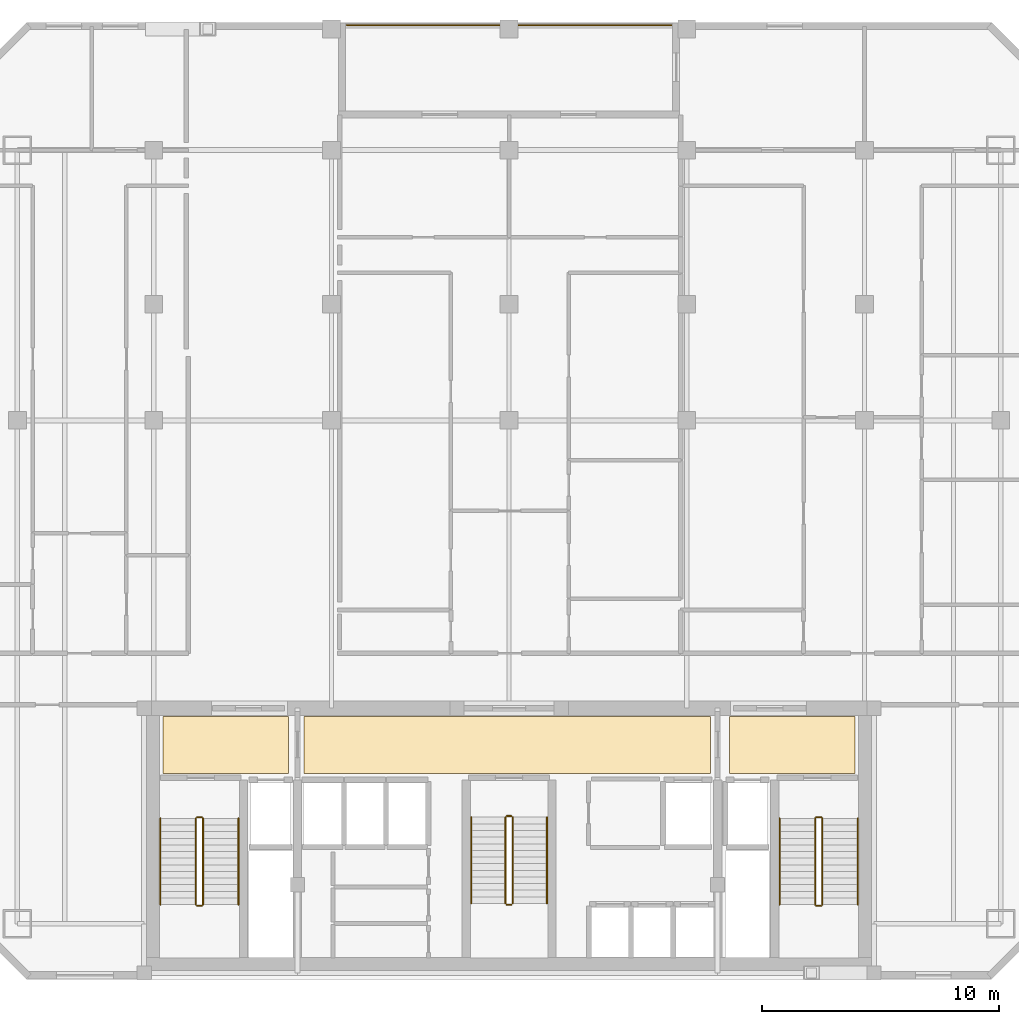
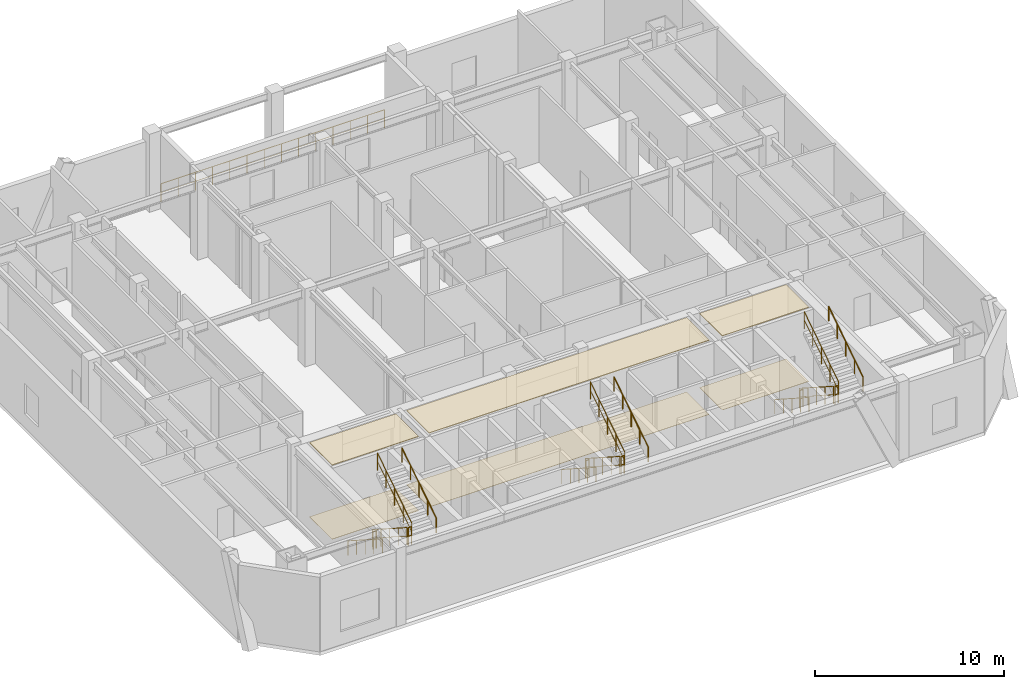
# One storey, part 8 of 8: 19 railings, 6 coverings.
"""IFC4 building model written with IfcOpenShell, lengths in metres."""

from ifc_helpers import new_model, si_unit, direction, frame, origin, origin_2d, place, context, subcontext, project, spatial, polyline, circle, outline, extrude, material, layer, layer_set, type_object, element, save


model = new_model("IFC4")

# Units and contexts
model_context = context("Model", 3, precision=1e-05, world=origin(), true_north=direction((0.0, 1.0)))
body_context = subcontext(model_context, "Body", "Model", "MODEL_VIEW")
ifc_project = project(units=[si_unit("LENGTHUNIT", "METRE"), si_unit("AREAUNIT", "SQUARE_METRE"), si_unit("VOLUMEUNIT", "CUBIC_METRE"), si_unit("PLANEANGLEUNIT", "RADIAN"), si_unit("MASSUNIT", "GRAM", prefix="KILO")], contexts=[model_context])

# Site, building, storey
site_placement = place(None, origin())
site = spatial("IfcSite", under=ifc_project, at=site_placement, CompositionType="ELEMENT")
building_placement = place(site_placement, origin())
building = spatial("IfcBuilding", under=site, at=building_placement, Name="Ventersveld Concourse Tower", CompositionType="ELEMENT")
storey_placement = place(building_placement, frame((0.0, 0.0, 187.550048828125)))
storey = spatial("IfcBuildingStorey", under=building, at=storey_placement, Name="L46", CompositionType="ELEMENT", Elevation=187.550048828125)

# Coverings
ifc_material_1 = material(Name="Mineral-fibre acoustic ceiling tile", Category="gypsum")
ifc_layer_1 = layer(ifc_material_1, 0.0400390625)
ifc_layer_set_1 = layer_set([ifc_layer_1], Name="Mineral-fibre acoustic ceiling tile")
covering_type_1 = type_object("IfcCoveringType", Name="COV-CEIL-ACOUSTIC", PredefinedType="CEILING", material=ifc_layer_set_1)
covering_1_placement = place(storey_placement, frame((0.0, 0.0, 4.7900390625)))
element("IfcCovering", 1, at=covering_1_placement, inside=storey, type_object=covering_type_1, Name="L46 North Lift Lobby Acoustic Ceiling", PredefinedType="CEILING", context=body_context, shape_type="SweptSolid", body=[
    extrude(outline(polyline([(20.10009765625, 8.699951171875), (37.25, 8.699951171875), (37.25, 11.10009765625), (20.10009765625, 11.10009765625), (20.10009765625, 8.699951171875)])), origin(), (0.0, 0.0, 1.0), 0.039794921875),
])
covering_2_placement = place(storey_placement, frame((0.0, 0.0, 4.7900390625)))
element("IfcCovering", 2, at=covering_2_placement, inside=storey, type_object=covering_type_1, Name="L46 West Firefighting Lobby Acoustic Ceiling", PredefinedType="CEILING", context=body_context, shape_type="SweptSolid", body=[
    extrude(outline(polyline([(14.14990234375, 8.699951171875), (19.449951171875, 8.699951171875), (19.449951171875, 11.10009765625), (14.14990234375, 11.10009765625), (14.14990234375, 8.699951171875)])), origin(), (0.0, 0.0, 1.0), 0.039794921875),
])
covering_3_placement = place(storey_placement, frame((0.0, 0.0, 4.7900390625)))
element("IfcCovering", 3, at=covering_3_placement, inside=storey, type_object=covering_type_1, Name="L46 East Firefighting Lobby Acoustic Ceiling", PredefinedType="CEILING", context=body_context, shape_type="SweptSolid", body=[
    extrude(outline(polyline([(38.050048828125, 8.699951171875), (43.35009765625, 8.699951171875), (43.35009765625, 11.10009765625), (38.050048828125, 11.10009765625), (38.050048828125, 8.699951171875)])), origin(), (0.0, 0.0, 1.0), 0.039794921875),
])
ifc_material_2 = material(Name="Polished Highveld granite terrazzo", Category="masonry")
ifc_layer_2 = layer(ifc_material_2, 0.02001953125)
ifc_layer_set_2 = layer_set([ifc_layer_2], Name="Polished Highveld granite terrazzo")
covering_type_2 = type_object("IfcCoveringType", Name="COV-FLOOR-TERRAZZO", PredefinedType="FLOORING", material=ifc_layer_set_2)
covering_4_placement = place(storey_placement, origin())
element("IfcCovering", 4, at=covering_4_placement, inside=storey, type_object=covering_type_2, Name="L46 North Lift Lobby Terrazzo Flooring", PredefinedType="FLOORING", context=body_context, shape_type="SweptSolid", body=[
    extrude(outline(polyline([(20.10009765625, 8.699951171875), (37.25, 8.699951171875), (37.25, 11.10009765625), (20.10009765625, 11.10009765625), (20.10009765625, 8.699951171875)])), origin(), (0.0, 0.0, 1.0), 0.02001953125),
])
covering_5_placement = place(storey_placement, origin())
element("IfcCovering", 5, at=covering_5_placement, inside=storey, type_object=covering_type_2, Name="L46 West Firefighting Lobby Terrazzo Flooring", PredefinedType="FLOORING", context=body_context, shape_type="SweptSolid", body=[
    extrude(outline(polyline([(14.14990234375, 8.699951171875), (19.449951171875, 8.699951171875), (19.449951171875, 11.10009765625), (14.14990234375, 11.10009765625), (14.14990234375, 8.699951171875)])), origin(), (0.0, 0.0, 1.0), 0.02001953125),
])
covering_6_placement = place(storey_placement, origin())
element("IfcCovering", 6, at=covering_6_placement, inside=storey, type_object=covering_type_2, Name="L46 East Firefighting Lobby Terrazzo Flooring", PredefinedType="FLOORING", context=body_context, shape_type="SweptSolid", body=[
    extrude(outline(polyline([(38.050048828125, 8.699951171875), (43.35009765625, 8.699951171875), (43.35009765625, 11.10009765625), (38.050048828125, 11.10009765625), (38.050048828125, 8.699951171875)])), origin(), (0.0, 0.0, 1.0), 0.02001953125),
])

# Railings
ifc_material_3 = material(Name="Brushed stainless steel 316", Category="steel")
railing_type_1 = type_object("IfcRailingType", Name="GD-BAL-115", PredefinedType="GUARDRAIL", material=ifc_material_3)
railing_1_placement = place(storey_placement, frame((15.530029296875, 6.800048828125, 0.180419921875)))
element("IfcRailing", 7, at=railing_1_placement, inside=storey, type_object=railing_type_1, Name="L46 ST-01 stair guard 1", PredefinedType="GUARDRAIL", context=body_context, shape_type="SweptSolid", body=[
    extrude(circle(Radius=0.02392578125, at=origin_2d()), frame((0.0, 0.0, 1.1259765625), z_axis=(0.0, -0.840716495035, 0.541475553442), x_axis=(1.0, 0.0, 0.0)), (0.0, 0.0, 1.0), 4.329833984375),
    extrude(circle(Radius=0.01611328125, at=origin_2d()), frame((0.0, 0.0, 0.574951171875), z_axis=(0.0, -0.840716495035, 0.541475553442), x_axis=(1.0, 0.0, 0.0)), (0.0, 0.0, 1.0), 4.329833984375),
    extrude(circle(Radius=0.02099609375, at=origin_2d()), origin(), (0.0, 0.0, 1.0), 1.101806640625),
    extrude(circle(Radius=0.02099609375, at=origin_2d()), frame((0.0, -0.91015625, 0.586181640625)), (0.0, 0.0, 1.0), 1.101806640625),
    extrude(circle(Radius=0.02099609375, at=origin_2d()), frame((0.0, -1.820068359375, 1.17236328125)), (0.0, 0.0, 1.0), 1.101806640625),
    extrude(circle(Radius=0.02099609375, at=origin_2d()), frame((0.0, -2.72998046875, 1.75830078125)), (0.0, 0.0, 1.0), 1.101806640625),
    extrude(circle(Radius=0.02099609375, at=origin_2d()), frame((0.0, -3.64013671875, 2.344482421875)), (0.0, 0.0, 1.0), 1.101806640625),
])
railing_2_placement = place(storey_placement, frame((15.580078125, 3.110107421875, 2.52490234375)))
element("IfcRailing", 8, at=railing_2_placement, inside=storey, type_object=railing_type_1, Name="L46 ST-01 stair guard 2", PredefinedType="GUARDRAIL", context=body_context, shape_type="SweptSolid", body=[
    extrude(circle(Radius=0.02392578125, at=origin_2d()), frame((0.0, 0.0, 1.1259765625), z_axis=(1.0, 0.0, 0.0), x_axis=(0.0, 1.0, 0.0)), (0.0, 0.0, 1.0), 0.199951171875),
    extrude(circle(Radius=0.01611328125, at=origin_2d()), frame((0.0, 0.0, 0.574951171875), z_axis=(1.0, 0.0, 0.0), x_axis=(0.0, 1.0, 0.0)), (0.0, 0.0, 1.0), 0.199951171875),
    extrude(circle(Radius=0.02099609375, at=origin_2d()), origin(), (0.0, 0.0, 1.0), 1.101806640625),
    extrude(circle(Radius=0.02099609375, at=origin_2d()), frame((0.199951171875, 0.0, 0.0)), (0.0, 0.0, 1.0), 1.101806640625),
])
railing_3_placement = place(storey_placement, frame((15.830078125, 3.159912109375, 2.705322265625)))
element("IfcRailing", 9, at=railing_3_placement, inside=storey, type_object=railing_type_1, Name="L46 ST-01 stair guard 3", PredefinedType="GUARDRAIL", context=body_context, shape_type="SweptSolid", body=[
    extrude(circle(Radius=0.02392578125, at=origin_2d()), frame((0.0, 0.0, 1.1259765625), z_axis=(0.0, 0.840690826383, 0.541515405539), x_axis=(-1.0, 0.0, 0.0)), (0.0, 0.0, 1.0), 4.329833984375),
    extrude(circle(Radius=0.01611328125, at=origin_2d()), frame((0.0, 0.0, 0.574951171875), z_axis=(0.0, 0.840690826383, 0.541515405539), x_axis=(-1.0, 0.0, 0.0)), (0.0, 0.0, 1.0), 4.329833984375),
    extrude(circle(Radius=0.02099609375, at=origin_2d()), origin(), (0.0, 0.0, 1.0), 1.101806640625),
    extrude(circle(Radius=0.02099609375, at=origin_2d()), frame((0.0, 0.91015625, 0.586181640625)), (0.0, 0.0, 1.0), 1.101806640625),
    extrude(circle(Radius=0.02099609375, at=origin_2d()), frame((0.0, 1.820068359375, 1.17236328125)), (0.0, 0.0, 1.0), 1.101806640625),
    extrude(circle(Radius=0.02099609375, at=origin_2d()), frame((0.0, 2.72998046875, 1.758544921875)), (0.0, 0.0, 1.0), 1.101806640625),
    extrude(circle(Radius=0.02099609375, at=origin_2d()), frame((0.0, 3.64013671875, 2.3447265625)), (0.0, 0.0, 1.0), 1.101806640625),
])
railing_4_placement = place(storey_placement, frame((15.580078125, 6.85009765625, 0.0)))
element("IfcRailing", 10, at=railing_4_placement, inside=storey, type_object=railing_type_1, Name="L46 ST-01 stair guard 4", PredefinedType="GUARDRAIL", context=body_context, shape_type="SweptSolid", body=[
    extrude(circle(Radius=0.02392578125, at=origin_2d()), frame((0.0, 0.0, 1.1259765625), z_axis=(1.0, 0.0, 0.0), x_axis=(0.0, 1.0, 0.0)), (0.0, 0.0, 1.0), 0.199951171875),
    extrude(circle(Radius=0.01611328125, at=origin_2d()), frame((0.0, 0.0, 0.574951171875), z_axis=(1.0, 0.0, 0.0), x_axis=(0.0, 1.0, 0.0)), (0.0, 0.0, 1.0), 0.199951171875),
    extrude(circle(Radius=0.02099609375, at=origin_2d()), origin(), (0.0, 0.0, 1.0), 1.101806640625),
    extrude(circle(Radius=0.02099609375, at=origin_2d()), frame((0.199951171875, 0.0, 0.0)), (0.0, 0.0, 1.0), 1.101806640625),
])
railing_5_placement = place(storey_placement, frame((41.669921875, 6.800048828125, 0.180419921875)))
element("IfcRailing", 11, at=railing_5_placement, inside=storey, type_object=railing_type_1, Name="L46 ST-02 stair guard 1", PredefinedType="GUARDRAIL", context=body_context, shape_type="SweptSolid", body=[
    extrude(circle(Radius=0.02392578125, at=origin_2d()), frame((0.0, 0.0, 1.1259765625), z_axis=(0.0, -0.840716495035, 0.541475553442), x_axis=(1.0, 0.0, 0.0)), (0.0, 0.0, 1.0), 4.329833984375),
    extrude(circle(Radius=0.01611328125, at=origin_2d()), frame((0.0, 0.0, 0.574951171875), z_axis=(0.0, -0.840716495035, 0.541475553442), x_axis=(1.0, 0.0, 0.0)), (0.0, 0.0, 1.0), 4.329833984375),
    extrude(circle(Radius=0.02099609375, at=origin_2d()), origin(), (0.0, 0.0, 1.0), 1.101806640625),
    extrude(circle(Radius=0.02099609375, at=origin_2d()), frame((0.0, -0.91015625, 0.586181640625)), (0.0, 0.0, 1.0), 1.101806640625),
    extrude(circle(Radius=0.02099609375, at=origin_2d()), frame((0.0, -1.820068359375, 1.17236328125)), (0.0, 0.0, 1.0), 1.101806640625),
    extrude(circle(Radius=0.02099609375, at=origin_2d()), frame((0.0, -2.72998046875, 1.75830078125)), (0.0, 0.0, 1.0), 1.101806640625),
    extrude(circle(Radius=0.02099609375, at=origin_2d()), frame((0.0, -3.64013671875, 2.344482421875)), (0.0, 0.0, 1.0), 1.101806640625),
])
railing_6_placement = place(storey_placement, frame((41.719970703125, 3.110107421875, 2.52490234375)))
element("IfcRailing", 12, at=railing_6_placement, inside=storey, type_object=railing_type_1, Name="L46 ST-02 stair guard 2", PredefinedType="GUARDRAIL", context=body_context, shape_type="SweptSolid", body=[
    extrude(circle(Radius=0.02392578125, at=origin_2d()), frame((0.0, 0.0, 1.1259765625), z_axis=(1.0, 0.0, 0.0), x_axis=(0.0, 1.0, 0.0)), (0.0, 0.0, 1.0), 0.199951171875),
    extrude(circle(Radius=0.01611328125, at=origin_2d()), frame((0.0, 0.0, 0.574951171875), z_axis=(1.0, 0.0, 0.0), x_axis=(0.0, 1.0, 0.0)), (0.0, 0.0, 1.0), 0.199951171875),
    extrude(circle(Radius=0.02099609375, at=origin_2d()), origin(), (0.0, 0.0, 1.0), 1.101806640625),
    extrude(circle(Radius=0.02099609375, at=origin_2d()), frame((0.199951171875, 0.0, 0.0)), (0.0, 0.0, 1.0), 1.101806640625),
])
railing_7_placement = place(storey_placement, frame((41.969970703125, 3.159912109375, 2.705322265625)))
element("IfcRailing", 13, at=railing_7_placement, inside=storey, type_object=railing_type_1, Name="L46 ST-02 stair guard 3", PredefinedType="GUARDRAIL", context=body_context, shape_type="SweptSolid", body=[
    extrude(circle(Radius=0.02392578125, at=origin_2d()), frame((0.0, 0.0, 1.1259765625), z_axis=(0.0, 0.840690826383, 0.541515405539), x_axis=(-1.0, 0.0, 0.0)), (0.0, 0.0, 1.0), 4.329833984375),
    extrude(circle(Radius=0.01611328125, at=origin_2d()), frame((0.0, 0.0, 0.574951171875), z_axis=(0.0, 0.840690826383, 0.541515405539), x_axis=(-1.0, 0.0, 0.0)), (0.0, 0.0, 1.0), 4.329833984375),
    extrude(circle(Radius=0.02099609375, at=origin_2d()), origin(), (0.0, 0.0, 1.0), 1.101806640625),
    extrude(circle(Radius=0.02099609375, at=origin_2d()), frame((0.0, 0.91015625, 0.586181640625)), (0.0, 0.0, 1.0), 1.101806640625),
    extrude(circle(Radius=0.02099609375, at=origin_2d()), frame((0.0, 1.820068359375, 1.17236328125)), (0.0, 0.0, 1.0), 1.101806640625),
    extrude(circle(Radius=0.02099609375, at=origin_2d()), frame((0.0, 2.72998046875, 1.758544921875)), (0.0, 0.0, 1.0), 1.101806640625),
    extrude(circle(Radius=0.02099609375, at=origin_2d()), frame((0.0, 3.64013671875, 2.3447265625)), (0.0, 0.0, 1.0), 1.101806640625),
])
railing_8_placement = place(storey_placement, frame((41.719970703125, 6.85009765625, 0.0)))
element("IfcRailing", 14, at=railing_8_placement, inside=storey, type_object=railing_type_1, Name="L46 ST-02 stair guard 4", PredefinedType="GUARDRAIL", context=body_context, shape_type="SweptSolid", body=[
    extrude(circle(Radius=0.02392578125, at=origin_2d()), frame((0.0, 0.0, 1.1259765625), z_axis=(1.0, 0.0, 0.0), x_axis=(0.0, 1.0, 0.0)), (0.0, 0.0, 1.0), 0.199951171875),
    extrude(circle(Radius=0.01611328125, at=origin_2d()), frame((0.0, 0.0, 0.574951171875), z_axis=(1.0, 0.0, 0.0), x_axis=(0.0, 1.0, 0.0)), (0.0, 0.0, 1.0), 0.199951171875),
    extrude(circle(Radius=0.02099609375, at=origin_2d()), origin(), (0.0, 0.0, 1.0), 1.101806640625),
    extrude(circle(Radius=0.02099609375, at=origin_2d()), frame((0.199951171875, 0.0, 0.0)), (0.0, 0.0, 1.0), 1.101806640625),
])
railing_9_placement = place(storey_placement, frame((28.60009765625, 6.85009765625, 0.180419921875)))
element("IfcRailing", 15, at=railing_9_placement, inside=storey, type_object=railing_type_1, Name="L46 ST-03 stair guard 1", PredefinedType="GUARDRAIL", context=body_context, shape_type="SweptSolid", body=[
    extrude(circle(Radius=0.02392578125, at=origin_2d()), frame((0.0, 0.0, 1.1259765625), z_axis=(0.0, -0.840716495035, 0.541475553442), x_axis=(1.0, 0.0, 0.0)), (0.0, 0.0, 1.0), 4.329833984375),
    extrude(circle(Radius=0.01611328125, at=origin_2d()), frame((0.0, 0.0, 0.574951171875), z_axis=(0.0, -0.840716495035, 0.541475553442), x_axis=(1.0, 0.0, 0.0)), (0.0, 0.0, 1.0), 4.329833984375),
    extrude(circle(Radius=0.02099609375, at=origin_2d()), origin(), (0.0, 0.0, 1.0), 1.101806640625),
    extrude(circle(Radius=0.02099609375, at=origin_2d()), frame((0.0, -0.91015625, 0.586181640625)), (0.0, 0.0, 1.0), 1.101806640625),
    extrude(circle(Radius=0.02099609375, at=origin_2d()), frame((0.0, -1.820068359375, 1.17236328125)), (0.0, 0.0, 1.0), 1.101806640625),
    extrude(circle(Radius=0.02099609375, at=origin_2d()), frame((0.0, -2.72998046875, 1.75830078125)), (0.0, 0.0, 1.0), 1.101806640625),
    extrude(circle(Radius=0.02099609375, at=origin_2d()), frame((0.0, -3.64013671875, 2.344482421875)), (0.0, 0.0, 1.0), 1.101806640625),
])
railing_10_placement = place(storey_placement, frame((28.64990234375, 3.159912109375, 2.52490234375)))
element("IfcRailing", 16, at=railing_10_placement, inside=storey, type_object=railing_type_1, Name="L46 ST-03 stair guard 2", PredefinedType="GUARDRAIL", context=body_context, shape_type="SweptSolid", body=[
    extrude(circle(Radius=0.02392578125, at=origin_2d()), frame((0.0, 0.0, 1.1259765625), z_axis=(1.0, 0.0, 0.0), x_axis=(0.0, 1.0, 0.0)), (0.0, 0.0, 1.0), 0.2001953125),
    extrude(circle(Radius=0.01611328125, at=origin_2d()), frame((0.0, 0.0, 0.574951171875), z_axis=(1.0, 0.0, 0.0), x_axis=(0.0, 1.0, 0.0)), (0.0, 0.0, 1.0), 0.2001953125),
    extrude(circle(Radius=0.02099609375, at=origin_2d()), origin(), (0.0, 0.0, 1.0), 1.101806640625),
    extrude(circle(Radius=0.02099609375, at=origin_2d()), frame((0.2001953125, 0.0, 0.0)), (0.0, 0.0, 1.0), 1.101806640625),
])
railing_11_placement = place(storey_placement, frame((28.89990234375, 3.2099609375, 2.705322265625)))
element("IfcRailing", 17, at=railing_11_placement, inside=storey, type_object=railing_type_1, Name="L46 ST-03 stair guard 3", PredefinedType="GUARDRAIL", context=body_context, shape_type="SweptSolid", body=[
    extrude(circle(Radius=0.02392578125, at=origin_2d()), frame((0.0, 0.0, 1.1259765625), z_axis=(0.0, 0.840690826383, 0.541515405539), x_axis=(-1.0, 0.0, 0.0)), (0.0, 0.0, 1.0), 4.329833984375),
    extrude(circle(Radius=0.01611328125, at=origin_2d()), frame((0.0, 0.0, 0.574951171875), z_axis=(0.0, 0.840690826383, 0.541515405539), x_axis=(-1.0, 0.0, 0.0)), (0.0, 0.0, 1.0), 4.329833984375),
    extrude(circle(Radius=0.02099609375, at=origin_2d()), origin(), (0.0, 0.0, 1.0), 1.101806640625),
    extrude(circle(Radius=0.02099609375, at=origin_2d()), frame((0.0, 0.91015625, 0.586181640625)), (0.0, 0.0, 1.0), 1.101806640625),
    extrude(circle(Radius=0.02099609375, at=origin_2d()), frame((0.0, 1.820068359375, 1.17236328125)), (0.0, 0.0, 1.0), 1.101806640625),
    extrude(circle(Radius=0.02099609375, at=origin_2d()), frame((0.0, 2.72998046875, 1.758544921875)), (0.0, 0.0, 1.0), 1.101806640625),
    extrude(circle(Radius=0.02099609375, at=origin_2d()), frame((0.0, 3.64013671875, 2.3447265625)), (0.0, 0.0, 1.0), 1.101806640625),
])
railing_12_placement = place(storey_placement, frame((28.64990234375, 6.89990234375, 0.0)))
element("IfcRailing", 18, at=railing_12_placement, inside=storey, type_object=railing_type_1, Name="L46 ST-03 stair guard 4", PredefinedType="GUARDRAIL", context=body_context, shape_type="SweptSolid", body=[
    extrude(circle(Radius=0.02392578125, at=origin_2d()), frame((0.0, 0.0, 1.1259765625), z_axis=(1.0, 0.0, 0.0), x_axis=(0.0, 1.0, 0.0)), (0.0, 0.0, 1.0), 0.2001953125),
    extrude(circle(Radius=0.01611328125, at=origin_2d()), frame((0.0, 0.0, 0.574951171875), z_axis=(1.0, 0.0, 0.0), x_axis=(0.0, 1.0, 0.0)), (0.0, 0.0, 1.0), 0.2001953125),
    extrude(circle(Radius=0.02099609375, at=origin_2d()), origin(), (0.0, 0.0, 1.0), 1.101806640625),
    extrude(circle(Radius=0.02099609375, at=origin_2d()), frame((0.2001953125, 0.0, 0.0)), (0.0, 0.0, 1.0), 1.101806640625),
])
railing_type_2 = type_object("IfcRailingType", Name="GD-TER-120", PredefinedType="GUARDRAIL", material=ifc_material_3)
railing_13_placement = place(storey_placement, frame((21.89990234375, 40.280029296875, 0.0)))
element("IfcRailing", 19, at=railing_13_placement, inside=storey, type_object=railing_type_2, Name="L46 Outdoor Terrace Guardrail NOTCH-N", PredefinedType="GUARDRAIL", context=body_context, shape_type="SweptSolid", body=[
    extrude(circle(Radius=0.02392578125, at=origin_2d()), frame((0.0, 0.0, 1.17578125), z_axis=(1.0, 0.0, 0.0), x_axis=(0.0, 1.0, 0.0)), (0.0, 0.0, 1.0), 13.7001953125),
    extrude(circle(Radius=0.01611328125, at=origin_2d()), frame((0.0, 0.0, 0.60009765625), z_axis=(1.0, 0.0, 0.0), x_axis=(0.0, 1.0, 0.0)), (0.0, 0.0, 1.0), 13.7001953125),
    extrude(circle(Radius=0.02099609375, at=origin_2d()), origin(), (0.0, 0.0, 1.0), 1.15185546875),
    extrude(circle(Radius=0.02099609375, at=origin_2d()), frame((1.053955078125, 0.0, 0.0)), (0.0, 0.0, 1.0), 1.15185546875),
    extrude(circle(Radius=0.02099609375, at=origin_2d()), frame((2.107666015625, 0.0, 0.0)), (0.0, 0.0, 1.0), 1.15185546875),
    extrude(circle(Radius=0.02099609375, at=origin_2d()), frame((3.16162109375, 0.0, 0.0)), (0.0, 0.0, 1.0), 1.15185546875),
    extrude(circle(Radius=0.02099609375, at=origin_2d()), frame((4.21533203125, 0.0, 0.0)), (0.0, 0.0, 1.0), 1.15185546875),
    extrude(circle(Radius=0.02099609375, at=origin_2d()), frame((5.269287109375, 0.0, 0.0)), (0.0, 0.0, 1.0), 1.15185546875),
    extrude(circle(Radius=0.02099609375, at=origin_2d()), frame((6.3232421875, 0.0, 0.0)), (0.0, 0.0, 1.0), 1.15185546875),
    extrude(circle(Radius=0.02099609375, at=origin_2d()), frame((7.376953125, 0.0, 0.0)), (0.0, 0.0, 1.0), 1.15185546875),
    extrude(circle(Radius=0.02099609375, at=origin_2d()), frame((8.430908203125, 0.0, 0.0)), (0.0, 0.0, 1.0), 1.15185546875),
    extrude(circle(Radius=0.02099609375, at=origin_2d()), frame((9.48486328125, 0.0, 0.0)), (0.0, 0.0, 1.0), 1.15185546875),
    extrude(circle(Radius=0.02099609375, at=origin_2d()), frame((10.53857421875, 0.0, 0.0)), (0.0, 0.0, 1.0), 1.15185546875),
    extrude(circle(Radius=0.02099609375, at=origin_2d()), frame((11.592529296875, 0.0, 0.0)), (0.0, 0.0, 1.0), 1.15185546875),
    extrude(circle(Radius=0.02099609375, at=origin_2d()), frame((12.646240234375, 0.0, 0.0)), (0.0, 0.0, 1.0), 1.15185546875),
    extrude(circle(Radius=0.02099609375, at=origin_2d()), frame((13.7001953125, 0.0, 0.0)), (0.0, 0.0, 1.0), 1.15185546875),
])
railing_type_3 = type_object("IfcRailingType", Name="HR-RMP-095", PredefinedType="HANDRAIL", material=ifc_material_3)
railing_14_placement = place(storey_placement, frame((14.030029296875, 6.800048828125, 0.180419921875)))
element("IfcRailing", 20, at=railing_14_placement, inside=storey, type_object=railing_type_3, Name="L46 ST-01 stair handrail 1", PredefinedType="HANDRAIL", context=body_context, shape_type="SweptSolid", body=[
    extrude(circle(Radius=0.02392578125, at=origin_2d()), frame((0.0, 0.0, 0.92578125), z_axis=(0.0, -0.840716495035, 0.541475553442), x_axis=(1.0, 0.0, 0.0)), (0.0, 0.0, 1.0), 4.329833984375),
    extrude(circle(Radius=0.02099609375, at=origin_2d()), origin(), (0.0, 0.0, 1.0), 0.90185546875),
    extrude(circle(Radius=0.02099609375, at=origin_2d()), frame((0.0, -0.91015625, 0.586181640625)), (0.0, 0.0, 1.0), 0.90185546875),
    extrude(circle(Radius=0.02099609375, at=origin_2d()), frame((0.0, -1.820068359375, 1.17236328125)), (0.0, 0.0, 1.0), 0.90185546875),
    extrude(circle(Radius=0.02099609375, at=origin_2d()), frame((0.0, -2.72998046875, 1.75830078125)), (0.0, 0.0, 1.0), 0.90185546875),
    extrude(circle(Radius=0.02099609375, at=origin_2d()), frame((0.0, -3.64013671875, 2.344482421875)), (0.0, 0.0, 1.0), 0.90185546875),
])
railing_15_placement = place(storey_placement, frame((17.330078125, 3.159912109375, 2.705322265625)))
element("IfcRailing", 21, at=railing_15_placement, inside=storey, type_object=railing_type_3, Name="L46 ST-01 stair handrail 2", PredefinedType="HANDRAIL", context=body_context, shape_type="SweptSolid", body=[
    extrude(circle(Radius=0.02392578125, at=origin_2d()), frame((0.0, 0.0, 0.92578125), z_axis=(0.0, 0.840690826383, 0.541515405539), x_axis=(-1.0, 0.0, 0.0)), (0.0, 0.0, 1.0), 4.329833984375),
    extrude(circle(Radius=0.02099609375, at=origin_2d()), origin(), (0.0, 0.0, 1.0), 0.90185546875),
    extrude(circle(Radius=0.02099609375, at=origin_2d()), frame((0.0, 0.91015625, 0.586181640625)), (0.0, 0.0, 1.0), 0.90185546875),
    extrude(circle(Radius=0.02099609375, at=origin_2d()), frame((0.0, 1.820068359375, 1.17236328125)), (0.0, 0.0, 1.0), 0.90185546875),
    extrude(circle(Radius=0.02099609375, at=origin_2d()), frame((0.0, 2.72998046875, 1.758544921875)), (0.0, 0.0, 1.0), 0.90185546875),
    extrude(circle(Radius=0.02099609375, at=origin_2d()), frame((0.0, 3.64013671875, 2.3447265625)), (0.0, 0.0, 1.0), 0.90185546875),
])
railing_16_placement = place(storey_placement, frame((40.169921875, 6.800048828125, 0.180419921875)))
element("IfcRailing", 22, at=railing_16_placement, inside=storey, type_object=railing_type_3, Name="L46 ST-02 stair handrail 1", PredefinedType="HANDRAIL", context=body_context, shape_type="SweptSolid", body=[
    extrude(circle(Radius=0.02392578125, at=origin_2d()), frame((0.0, 0.0, 0.92578125), z_axis=(0.0, -0.840716495035, 0.541475553442), x_axis=(1.0, 0.0, 0.0)), (0.0, 0.0, 1.0), 4.329833984375),
    extrude(circle(Radius=0.02099609375, at=origin_2d()), origin(), (0.0, 0.0, 1.0), 0.90185546875),
    extrude(circle(Radius=0.02099609375, at=origin_2d()), frame((0.0, -0.91015625, 0.586181640625)), (0.0, 0.0, 1.0), 0.90185546875),
    extrude(circle(Radius=0.02099609375, at=origin_2d()), frame((0.0, -1.820068359375, 1.17236328125)), (0.0, 0.0, 1.0), 0.90185546875),
    extrude(circle(Radius=0.02099609375, at=origin_2d()), frame((0.0, -2.72998046875, 1.75830078125)), (0.0, 0.0, 1.0), 0.90185546875),
    extrude(circle(Radius=0.02099609375, at=origin_2d()), frame((0.0, -3.64013671875, 2.344482421875)), (0.0, 0.0, 1.0), 0.90185546875),
])
railing_17_placement = place(storey_placement, frame((43.469970703125, 3.159912109375, 2.705322265625)))
element("IfcRailing", 23, at=railing_17_placement, inside=storey, type_object=railing_type_3, Name="L46 ST-02 stair handrail 2", PredefinedType="HANDRAIL", context=body_context, shape_type="SweptSolid", body=[
    extrude(circle(Radius=0.02392578125, at=origin_2d()), frame((0.0, 0.0, 0.92578125), z_axis=(0.0, 0.840690826383, 0.541515405539), x_axis=(-1.0, 0.0, 0.0)), (0.0, 0.0, 1.0), 4.329833984375),
    extrude(circle(Radius=0.02099609375, at=origin_2d()), origin(), (0.0, 0.0, 1.0), 0.90185546875),
    extrude(circle(Radius=0.02099609375, at=origin_2d()), frame((0.0, 0.91015625, 0.586181640625)), (0.0, 0.0, 1.0), 0.90185546875),
    extrude(circle(Radius=0.02099609375, at=origin_2d()), frame((0.0, 1.820068359375, 1.17236328125)), (0.0, 0.0, 1.0), 0.90185546875),
    extrude(circle(Radius=0.02099609375, at=origin_2d()), frame((0.0, 2.72998046875, 1.758544921875)), (0.0, 0.0, 1.0), 0.90185546875),
    extrude(circle(Radius=0.02099609375, at=origin_2d()), frame((0.0, 3.64013671875, 2.3447265625)), (0.0, 0.0, 1.0), 0.90185546875),
])
railing_18_placement = place(storey_placement, frame((27.14990234375, 6.85009765625, 0.180419921875)))
element("IfcRailing", 24, at=railing_18_placement, inside=storey, type_object=railing_type_3, Name="L46 ST-03 stair handrail 1", PredefinedType="HANDRAIL", context=body_context, shape_type="SweptSolid", body=[
    extrude(circle(Radius=0.02392578125, at=origin_2d()), frame((0.0, 0.0, 0.92578125), z_axis=(0.0, -0.840716495035, 0.541475553442), x_axis=(1.0, 0.0, 0.0)), (0.0, 0.0, 1.0), 4.329833984375),
    extrude(circle(Radius=0.02099609375, at=origin_2d()), origin(), (0.0, 0.0, 1.0), 0.90185546875),
    extrude(circle(Radius=0.02099609375, at=origin_2d()), frame((0.0, -0.91015625, 0.586181640625)), (0.0, 0.0, 1.0), 0.90185546875),
    extrude(circle(Radius=0.02099609375, at=origin_2d()), frame((0.0, -1.820068359375, 1.17236328125)), (0.0, 0.0, 1.0), 0.90185546875),
    extrude(circle(Radius=0.02099609375, at=origin_2d()), frame((0.0, -2.72998046875, 1.75830078125)), (0.0, 0.0, 1.0), 0.90185546875),
    extrude(circle(Radius=0.02099609375, at=origin_2d()), frame((0.0, -3.64013671875, 2.344482421875)), (0.0, 0.0, 1.0), 0.90185546875),
])
railing_19_placement = place(storey_placement, frame((30.35009765625, 3.2099609375, 2.705322265625)))
element("IfcRailing", 25, at=railing_19_placement, inside=storey, type_object=railing_type_3, Name="L46 ST-03 stair handrail 2", PredefinedType="HANDRAIL", context=body_context, shape_type="SweptSolid", body=[
    extrude(circle(Radius=0.02392578125, at=origin_2d()), frame((0.0, 0.0, 0.92578125), z_axis=(0.0, 0.840690826383, 0.541515405539), x_axis=(-1.0, 0.0, 0.0)), (0.0, 0.0, 1.0), 4.329833984375),
    extrude(circle(Radius=0.02099609375, at=origin_2d()), origin(), (0.0, 0.0, 1.0), 0.90185546875),
    extrude(circle(Radius=0.02099609375, at=origin_2d()), frame((0.0, 0.91015625, 0.586181640625)), (0.0, 0.0, 1.0), 0.90185546875),
    extrude(circle(Radius=0.02099609375, at=origin_2d()), frame((0.0, 1.820068359375, 1.17236328125)), (0.0, 0.0, 1.0), 0.90185546875),
    extrude(circle(Radius=0.02099609375, at=origin_2d()), frame((0.0, 2.72998046875, 1.758544921875)), (0.0, 0.0, 1.0), 0.90185546875),
    extrude(circle(Radius=0.02099609375, at=origin_2d()), frame((0.0, 3.64013671875, 2.3447265625)), (0.0, 0.0, 1.0), 0.90185546875),
])

save(model, "model.ifc")
